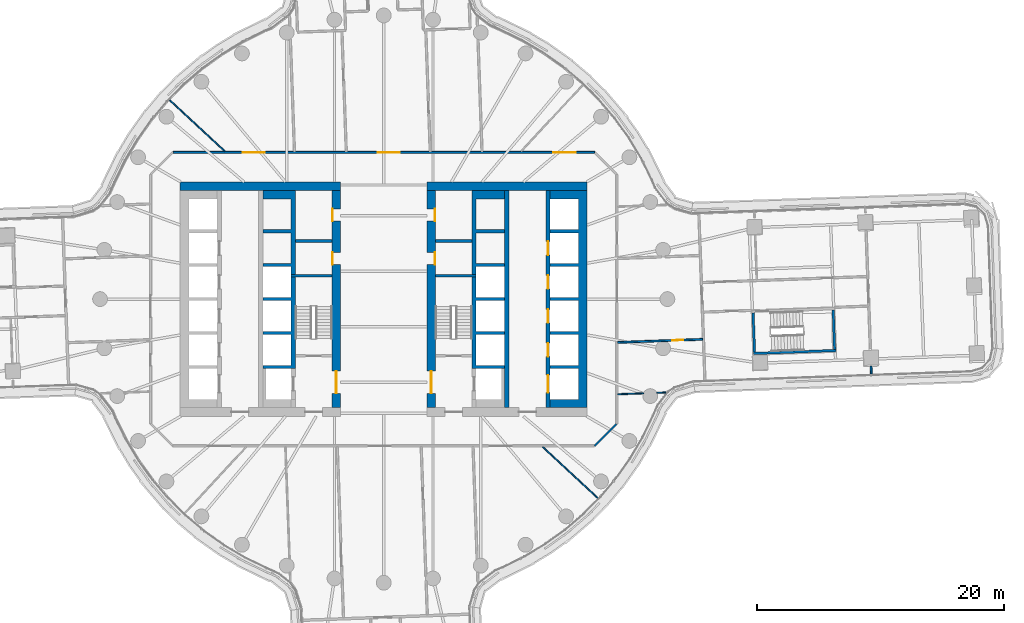
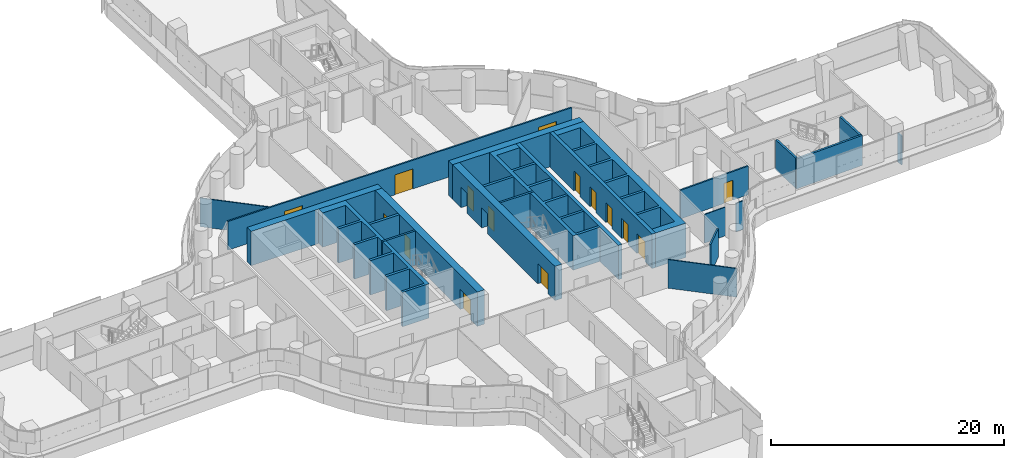
# One storey, part 21 of 31: 24 walls, 15 doors, 15 openings.
"""IFC4 building model written with IfcOpenShell, lengths in metres."""

from ifc_helpers import new_model, si_unit, direction, frame, frame_2d, origin, place, context, subcontext, project, spatial, polyline, rectangle, outline, extrude, material, layer, layer_set, type_object, element, fill, save


model = new_model("IFC4")

# Units and contexts
model_context = context("Model", 3, precision=1e-05, world=origin(), true_north=direction((0.0, 1.0)))
body_context = subcontext(model_context, "Body", "Model", "MODEL_VIEW")
ifc_project = project(units=[si_unit("LENGTHUNIT", "METRE"), si_unit("AREAUNIT", "SQUARE_METRE"), si_unit("VOLUMEUNIT", "CUBIC_METRE"), si_unit("PLANEANGLEUNIT", "RADIAN"), si_unit("MASSUNIT", "GRAM", prefix="KILO")], contexts=[model_context])

# Site, building, storey
site_placement = place(None, origin())
site = spatial("IfcSite", under=ifc_project, at=site_placement, CompositionType="ELEMENT")
building_placement = place(site_placement, origin())
building = spatial("IfcBuilding", under=site, at=building_placement, Name="Tamarind Cross Interchange Tower", CompositionType="ELEMENT")
storey_placement = place(building_placement, frame((0.0, 0.0, 41.5)))
storey = spatial("IfcBuildingStorey", under=building, at=storey_placement, Name="L08", CompositionType="ELEMENT", Elevation=41.5)

# Wall
ifc_material_1 = material(Name="Concrete C80", Category="concrete")
ifc_layer_1 = layer(ifc_material_1, 0.699951171875)
ifc_layer_set_1 = layer_set([ifc_layer_1], Name="Concrete C80")
wall_type_1 = type_object("IfcWallType", Name="Core wall 700 mm Concrete C80", PredefinedType="SHEAR", material=ifc_layer_set_1)
wall_1_placement = place(storey_placement, frame((-16.5, 9.14990234375, 0.0), z_axis=(0.0, 0.0, 1.0), x_axis=(1.0, 0.0, 0.0)))
element("IfcWall", 1, at=wall_1_placement, inside=storey, type_object=wall_type_1, Name="Core wall CWL-L08-W-NE", PredefinedType="SHEAR", context=body_context, shape_type="SweptSolid", body=[
    extrude(rectangle(XDim=13.0, YDim=0.699951171875, at=frame_2d((6.5, 0.0))), origin(), (0.0, 0.0, 1.0), 3.610107421875),
])

# Wall, openings, doors
wall_2_placement = place(storey_placement, frame((-3.85009765625, -8.800048828125, 0.0), z_axis=(0.0, 0.0, 1.0), x_axis=(0.0, 1.0, 0.0)))
wall_2 = element("IfcWall", 2, at=wall_2_placement, inside=storey, type_object=wall_type_1, Name="Core wall CWL-L08-W-IN", PredefinedType="SHEAR", context=body_context, shape_type="SweptSolid", body=[
    extrude(rectangle(XDim=17.60009765625, YDim=0.699951171875, at=frame_2d((8.800048828125, 0.0))), origin(), (0.0, 0.0, 1.0), 3.610107421875),
])
opening_1_placement = place(wall_2_placement, frame((1.14990234375, 0.0, 0.0)))
opening_1 = element("IfcOpeningElement", 3, at=opening_1_placement, cuts=wall_2, Name="Opening DCW4", PredefinedType="OPENING", context=body_context, shape_type="SweptSolid", body=[
    extrude(rectangle(XDim=1.800048828125, YDim=2.10009765625, at=frame_2d((0.89990234375, 1.050048828125))), frame((0.0, 0.35986328125, 0.0), z_axis=(0.0, -1.0, 0.0), x_axis=(1.0, 0.0, 0.0)), (0.0, 0.0, 1.0), 0.719970703125),
])
opening_2_placement = place(wall_2_placement, frame((11.597412109375, 0.0, 0.0)))
opening_2 = element("IfcOpeningElement", 4, at=opening_2_placement, cuts=wall_2, Name="Opening DCW5", PredefinedType="OPENING", context=body_context, shape_type="SweptSolid", body=[
    extrude(rectangle(XDim=1.0, YDim=2.10009765625, at=frame_2d((0.5, 1.050048828125))), frame((0.0, 0.35986328125, 0.0), z_axis=(0.0, -1.0, 0.0), x_axis=(1.0, 0.0, 0.0)), (0.0, 0.0, 1.0), 0.719970703125),
])
opening_3_placement = place(wall_2_placement, frame((15.12255859375, 0.0, 0.0)))
opening_3 = element("IfcOpeningElement", 5, at=opening_3_placement, cuts=wall_2, Name="Opening DCW5", PredefinedType="OPENING", context=body_context, shape_type="SweptSolid", body=[
    extrude(rectangle(XDim=1.0, YDim=2.10009765625, at=frame_2d((0.5, 1.050048828125))), frame((0.0, 0.35986328125, 0.0), z_axis=(0.0, -1.0, 0.0), x_axis=(1.0, 0.0, 0.0)), (0.0, 0.0, 1.0), 0.719970703125),
])
ifc_material_2 = material(Name="Steel, fire-resisting", Category="steel")
door_type_1 = type_object("IfcDoorType", Name="Core fire door 1000 x 2100 FD90", OperationType="SINGLE_SWING_LEFT", PredefinedType="DOOR", material=ifc_material_2)
door_1_placement = place(opening_2_placement, origin())
door_1 = element("IfcDoor", 6, at=door_1_placement, inside=storey, type_object=door_type_1, Name="L08 comms room door", OperationType="SINGLE_SWING_LEFT", OverallHeight=2.10009765625, OverallWidth=1.0, PredefinedType="DOOR", context=body_context, shape_type="SweptSolid", body=[
    extrude(rectangle(XDim=1.0, YDim=2.10009765625, at=frame_2d((0.5, 1.050048828125))), frame((0.0, 0.3251953125, 0.0), z_axis=(0.0, -1.0, 0.0), x_axis=(1.0, 0.0, 0.0)), (0.0, 0.0, 1.0), 0.050048828125),
])
fill(opening_2, door_1)
door_2_placement = place(opening_3_placement, origin())
door_2 = element("IfcDoor", 7, at=door_2_placement, inside=storey, type_object=door_type_1, Name="L08 cleaner's store door", OperationType="SINGLE_SWING_LEFT", OverallHeight=2.10009765625, OverallWidth=1.0, PredefinedType="DOOR", context=body_context, shape_type="SweptSolid", body=[
    extrude(rectangle(XDim=1.0, YDim=2.10009765625, at=frame_2d((0.5, 1.050048828125))), frame((0.0, 0.3251953125, 0.0), z_axis=(0.0, -1.0, 0.0), x_axis=(1.0, 0.0, 0.0)), (0.0, 0.0, 1.0), 0.050048828125),
])
fill(opening_3, door_2)
door_type_2 = type_object("IfcDoorType", Name="Core fire door 1800 x 2100 FD90", OperationType="SINGLE_SWING_LEFT", PredefinedType="DOOR", material=ifc_material_2)
door_3_placement = place(opening_1_placement, origin())
door_3 = element("IfcDoor", 8, at=door_3_placement, inside=storey, type_object=door_type_2, Name="L08 firefighting lobby door", OperationType="SINGLE_SWING_LEFT", OverallHeight=2.10009765625, OverallWidth=1.800048828125, PredefinedType="DOOR", context=body_context, shape_type="SweptSolid", body=[
    extrude(rectangle(XDim=1.800048828125, YDim=2.10009765625, at=frame_2d((0.89990234375, 1.050048828125))), frame((0.0, 0.02490234375, 0.0), z_axis=(0.0, -1.0, 0.0), x_axis=(1.0, 0.0, 0.0)), (0.0, 0.0, 1.0), 0.050048828125),
])
fill(opening_1, door_3)

# Walls
wall_3_placement = place(storey_placement, origin())
element("IfcWall", 9, at=wall_3_placement, inside=storey, type_object=wall_type_1, Name="Core wall CWL-L08-E-A", PredefinedType="SHEAR", context=body_context, shape_type="SweptSolid", body=[
    extrude(outline(polyline([(13.5, -8.800048828125), (15.800048828125, -8.800048828125), (16.5, -8.800048828125), (16.5, 8.800048828125), (15.800048828125, 8.800048828125), (13.5, 8.800048828125), (13.5, 8.125), (15.800048828125, 8.125), (15.800048828125, 5.625), (13.5, 5.625), (13.5, 5.375), (15.800048828125, 5.375), (15.800048828125, 2.875), (13.5, 2.875), (13.5, 2.625), (15.800048828125, 2.625), (15.800048828125, 0.125), (13.5, 0.125), (13.5, -0.125), (15.800048828125, -0.125), (15.800048828125, -2.625), (13.5, -2.625), (13.5, -2.875), (15.800048828125, -2.875), (15.800048828125, -5.375), (13.5, -5.375), (13.5, -5.625), (15.800048828125, -5.625), (15.800048828125, -8.125), (13.5, -8.125), (13.5, -8.800048828125)])), origin(), (0.0, 0.0, 1.0), 3.610107421875),
])
wall_4_placement = place(storey_placement, frame((16.5, 9.14990234375, 0.0), z_axis=(0.0, 0.0, 1.0), x_axis=(-1.0, 0.0, 0.0)))
element("IfcWall", 10, at=wall_4_placement, inside=storey, type_object=wall_type_1, Name="Core wall CWL-L08-E-NE", PredefinedType="SHEAR", context=body_context, shape_type="SweptSolid", body=[
    extrude(rectangle(XDim=13.0, YDim=0.699951171875, at=frame_2d((6.5, 0.0))), origin(), (0.0, 0.0, 1.0), 3.610107421875),
])

# Wall, openings, doors
wall_5_placement = place(storey_placement, frame((3.85009765625, -8.800048828125, 0.0), z_axis=(0.0, 0.0, 1.0), x_axis=(0.0, 1.0, 0.0)))
wall_5 = element("IfcWall", 11, at=wall_5_placement, inside=storey, type_object=wall_type_1, Name="Core wall CWL-L08-E-IN", PredefinedType="SHEAR", context=body_context, shape_type="SweptSolid", body=[
    extrude(rectangle(XDim=17.60009765625, YDim=0.699951171875, at=frame_2d((8.800048828125, 0.0))), origin(), (0.0, 0.0, 1.0), 3.610107421875),
])
opening_4_placement = place(wall_5_placement, frame((1.14990234375, 0.0, 0.0)))
opening_4 = element("IfcOpeningElement", 12, at=opening_4_placement, cuts=wall_5, Name="Opening DCE4", PredefinedType="OPENING", context=body_context, shape_type="SweptSolid", body=[
    extrude(rectangle(XDim=1.800048828125, YDim=2.10009765625, at=frame_2d((0.89990234375, 1.050048828125))), frame((0.0, 0.35986328125, 0.0), z_axis=(0.0, -1.0, 0.0), x_axis=(1.0, 0.0, 0.0)), (0.0, 0.0, 1.0), 0.719970703125),
])
opening_5_placement = place(wall_5_placement, frame((11.597412109375, 0.0, 0.0)))
opening_5 = element("IfcOpeningElement", 13, at=opening_5_placement, cuts=wall_5, Name="Opening DCE5", PredefinedType="OPENING", context=body_context, shape_type="SweptSolid", body=[
    extrude(rectangle(XDim=1.0, YDim=2.10009765625, at=frame_2d((0.5, 1.050048828125))), frame((0.0, 0.35986328125, 0.0), z_axis=(0.0, -1.0, 0.0), x_axis=(1.0, 0.0, 0.0)), (0.0, 0.0, 1.0), 0.719970703125),
])
opening_6_placement = place(wall_5_placement, frame((15.12255859375, 0.0, 0.0)))
opening_6 = element("IfcOpeningElement", 14, at=opening_6_placement, cuts=wall_5, Name="Opening DCE5", PredefinedType="OPENING", context=body_context, shape_type="SweptSolid", body=[
    extrude(rectangle(XDim=1.0, YDim=2.10009765625, at=frame_2d((0.5, 1.050048828125))), frame((0.0, 0.35986328125, 0.0), z_axis=(0.0, -1.0, 0.0), x_axis=(1.0, 0.0, 0.0)), (0.0, 0.0, 1.0), 0.719970703125),
])
door_4_placement = place(opening_5_placement, origin())
door_4 = element("IfcDoor", 15, at=door_4_placement, inside=storey, type_object=door_type_1, Name="L08 comms room door", OperationType="SINGLE_SWING_LEFT", OverallHeight=2.10009765625, OverallWidth=1.0, PredefinedType="DOOR", context=body_context, shape_type="SweptSolid", body=[
    extrude(rectangle(XDim=1.0, YDim=2.10009765625, at=frame_2d((0.5, 1.050048828125))), frame((0.0, -0.27490234375, 0.0), z_axis=(0.0, -1.0, 0.0), x_axis=(1.0, 0.0, 0.0)), (0.0, 0.0, 1.0), 0.050048828125),
])
fill(opening_5, door_4)
door_5_placement = place(opening_6_placement, origin())
door_5 = element("IfcDoor", 16, at=door_5_placement, inside=storey, type_object=door_type_1, Name="L08 cleaner's store door", OperationType="SINGLE_SWING_LEFT", OverallHeight=2.10009765625, OverallWidth=1.0, PredefinedType="DOOR", context=body_context, shape_type="SweptSolid", body=[
    extrude(rectangle(XDim=1.0, YDim=2.10009765625, at=frame_2d((0.5, 1.050048828125))), frame((0.0, -0.27490234375, 0.0), z_axis=(0.0, -1.0, 0.0), x_axis=(1.0, 0.0, 0.0)), (0.0, 0.0, 1.0), 0.050048828125),
])
fill(opening_6, door_5)
door_6_placement = place(opening_4_placement, origin())
door_6 = element("IfcDoor", 17, at=door_6_placement, inside=storey, type_object=door_type_2, Name="L08 firefighting lobby door", OperationType="SINGLE_SWING_LEFT", OverallHeight=2.10009765625, OverallWidth=1.800048828125, PredefinedType="DOOR", context=body_context, shape_type="SweptSolid", body=[
    extrude(rectangle(XDim=1.800048828125, YDim=2.10009765625, at=frame_2d((0.89990234375, 1.050048828125))), frame((0.0, 0.02490234375, 0.0), z_axis=(0.0, -1.0, 0.0), x_axis=(1.0, 0.0, 0.0)), (0.0, 0.0, 1.0), 0.050048828125),
])
fill(opening_4, door_6)

# Walls
ifc_layer_2 = layer(ifc_material_1, 0.199951171875)
ifc_layer_set_2 = layer_set([ifc_layer_2], Name="Concrete C80")
wall_type_2 = type_object("IfcWallType", Name="Core web wall 200 mm Concrete C80", PredefinedType="SHEAR", material=ifc_layer_set_2)
for number, where, z_axis, x_axis, name in (
    (18, (-7.5, 1.89990234375, 0.0), (0.0, 0.0, 1.0), (1.0, 0.0, 0.0), "Core wall CWL-L08-W-BD"),
    (19, (7.5, 1.89990234375, 0.0), (0.0, 0.0, 1.0), (-1.0, 0.0, 0.0), "Core wall CWL-L08-E-BD"),
):
    element("IfcWall", number, at=place(storey_placement, frame(where, z_axis=z_axis, x_axis=x_axis)), inside=storey, type_object=wall_type_2, Name=name, PredefinedType="SHEAR", context=body_context, shape_type="SweptSolid", body=[
        extrude(rectangle(XDim=3.300048828125, YDim=0.199951171875, at=frame_2d((1.64990234375, 0.0))), origin(), (0.0, 0.0, 1.0), 3.610107421875),
    ])
ifc_layer_3 = layer(ifc_material_1, 0.35009765625)
ifc_layer_set_3 = layer_set([ifc_layer_3], Name="Concrete C80")
wall_type_3 = type_object("IfcWallType", Name="Core web wall 350 mm Concrete C80", PredefinedType="SHEAR", material=ifc_layer_set_3)
wall_6_placement = place(storey_placement, origin())
element("IfcWall", 20, at=wall_6_placement, inside=storey, type_object=wall_type_3, Name="Core wall CWL-L08-W-BN", PredefinedType="SHEAR", context=body_context, shape_type="SweptSolid", body=[
    extrude(outline(polyline([(-9.800048828125, -5.375), (-9.800048828125, -5.625), (-7.5, -5.625), (-7.14990234375, -5.625), (-7.14990234375, 8.800048828125), (-7.5, 8.800048828125), (-9.800048828125, 8.800048828125), (-9.800048828125, 8.125), (-7.5, 8.125), (-7.5, 5.625), (-9.800048828125, 5.625), (-9.800048828125, 5.375), (-7.5, 5.375), (-7.5, 2.875), (-9.800048828125, 2.875), (-9.800048828125, 2.625), (-7.5, 2.625), (-7.5, 0.125), (-9.800048828125, 0.125), (-9.800048828125, -0.125), (-7.5, -0.125), (-7.5, -2.625), (-9.800048828125, -2.625), (-9.800048828125, -2.875), (-7.5, -2.875), (-7.5, -5.375), (-9.800048828125, -5.375)])), origin(), (0.0, 0.0, 1.0), 3.610107421875),
])
wall_7_placement = place(storey_placement, origin())
element("IfcWall", 21, at=wall_7_placement, inside=storey, type_object=wall_type_3, Name="Core wall CWL-L08-E-BN", PredefinedType="SHEAR", context=body_context, shape_type="SweptSolid", body=[
    extrude(outline(polyline([(9.800048828125, -5.375), (7.5, -5.375), (7.5, -2.875), (9.800048828125, -2.875), (9.800048828125, -2.625), (7.5, -2.625), (7.5, -0.125), (9.800048828125, -0.125), (9.800048828125, 0.125), (7.5, 0.125), (7.5, 2.625), (9.800048828125, 2.625), (9.800048828125, 2.875), (7.5, 2.875), (7.5, 5.375), (9.800048828125, 5.375), (9.800048828125, 5.625), (7.5, 5.625), (7.5, 8.125), (9.800048828125, 8.125), (9.800048828125, 8.800048828125), (7.5, 8.800048828125), (7.14990234375, 8.800048828125), (7.14990234375, -5.625), (7.5, -5.625), (9.800048828125, -5.625), (9.800048828125, -5.375)])), origin(), (0.0, 0.0, 1.0), 3.610107421875),
])

# Wall, openings, doors
wall_8_placement = place(storey_placement, frame((13.324951171875, -8.800048828125, 0.0), z_axis=(0.0, 0.0, 1.0), x_axis=(0.0, 1.0, 0.0)))
wall_8 = element("IfcWall", 22, at=wall_8_placement, inside=storey, type_object=wall_type_3, Name="Core wall CWL-L08-E-LA", PredefinedType="SHEAR", context=body_context, shape_type="SweptSolid", body=[
    extrude(rectangle(XDim=17.60009765625, YDim=0.35009765625, at=frame_2d((8.800048828125, 0.0))), origin(), (0.0, 0.0, 1.0), 3.610107421875),
])
opening_7_placement = place(wall_8_placement, frame((1.22509765625, 0.0, 0.0)))
opening_7 = element("IfcOpeningElement", 23, at=opening_7_placement, cuts=wall_8, Name="Opening LD13L08", PredefinedType="OPENING", context=body_context, shape_type="SweptSolid", body=[
    extrude(rectangle(XDim=1.39990234375, YDim=2.10009765625, at=frame_2d((0.699951171875, 1.050048828125))), frame((0.0, 0.18505859375, 0.0), z_axis=(0.0, -1.0, 0.0), x_axis=(1.0, 0.0, 0.0)), (0.0, 0.0, 1.0), 0.3701171875),
])
opening_8_placement = place(wall_8_placement, frame((4.125, 0.0, 0.0)))
opening_8 = element("IfcOpeningElement", 24, at=opening_8_placement, cuts=wall_8, Name="Opening LD14L08", PredefinedType="OPENING", context=body_context, shape_type="SweptSolid", body=[
    extrude(rectangle(XDim=1.10009765625, YDim=2.10009765625, at=frame_2d((0.550048828125, 1.050048828125))), frame((0.0, 0.18505859375, 0.0), z_axis=(0.0, -1.0, 0.0), x_axis=(1.0, 0.0, 0.0)), (0.0, 0.0, 1.0), 0.3701171875),
])
opening_9_placement = place(wall_8_placement, frame((6.875, 0.0, 0.0)))
opening_9 = element("IfcOpeningElement", 25, at=opening_9_placement, cuts=wall_8, Name="Opening LD15L08", PredefinedType="OPENING", context=body_context, shape_type="SweptSolid", body=[
    extrude(rectangle(XDim=1.10009765625, YDim=2.10009765625, at=frame_2d((0.550048828125, 1.050048828125))), frame((0.0, 0.18505859375, 0.0), z_axis=(0.0, -1.0, 0.0), x_axis=(1.0, 0.0, 0.0)), (0.0, 0.0, 1.0), 0.3701171875),
])
opening_10_placement = place(wall_8_placement, frame((9.625, 0.0, 0.0)))
opening_10 = element("IfcOpeningElement", 26, at=opening_10_placement, cuts=wall_8, Name="Opening LD16L08", PredefinedType="OPENING", context=body_context, shape_type="SweptSolid", body=[
    extrude(rectangle(XDim=1.10009765625, YDim=2.10009765625, at=frame_2d((0.550048828125, 1.050048828125))), frame((0.0, 0.18505859375, 0.0), z_axis=(0.0, -1.0, 0.0), x_axis=(1.0, 0.0, 0.0)), (0.0, 0.0, 1.0), 0.3701171875),
])
opening_11_placement = place(wall_8_placement, frame((12.375, 0.0, 0.0)))
opening_11 = element("IfcOpeningElement", 27, at=opening_11_placement, cuts=wall_8, Name="Opening LD17L08", PredefinedType="OPENING", context=body_context, shape_type="SweptSolid", body=[
    extrude(rectangle(XDim=1.10009765625, YDim=2.10009765625, at=frame_2d((0.550048828125, 1.050048828125))), frame((0.0, 0.18505859375, 0.0), z_axis=(0.0, -1.0, 0.0), x_axis=(1.0, 0.0, 0.0)), (0.0, 0.0, 1.0), 0.3701171875),
])
ifc_material_3 = material(Name="Stainless steel panel", Category="steel")
door_type_3 = type_object("IfcDoorType", Name="Lift landing door 1100 x 2100 E 120", OperationType="SLIDING_TO_LEFT", PredefinedType="DOOR", material=ifc_material_3)
door_7_placement = place(opening_8_placement, origin())
door_7 = element("IfcDoor", 28, at=door_7_placement, inside=storey, type_object=door_type_3, Name="L08 landing door LF14", OperationType="SLIDING_TO_LEFT", OverallHeight=2.10009765625, OverallWidth=1.10009765625, PredefinedType="DOOR", context=body_context, shape_type="SweptSolid", body=[
    extrude(rectangle(XDim=1.10009765625, YDim=2.10009765625, at=frame_2d((0.550048828125, 1.050048828125))), frame((0.0, 0.02490234375, 0.0), z_axis=(0.0, -1.0, 0.0), x_axis=(1.0, 0.0, 0.0)), (0.0, 0.0, 1.0), 0.050048828125),
])
fill(opening_8, door_7)
door_8_placement = place(opening_9_placement, origin())
door_8 = element("IfcDoor", 29, at=door_8_placement, inside=storey, type_object=door_type_3, Name="L08 landing door LF15", OperationType="SLIDING_TO_LEFT", OverallHeight=2.10009765625, OverallWidth=1.10009765625, PredefinedType="DOOR", context=body_context, shape_type="SweptSolid", body=[
    extrude(rectangle(XDim=1.10009765625, YDim=2.10009765625, at=frame_2d((0.550048828125, 1.050048828125))), frame((0.0, 0.02490234375, 0.0), z_axis=(0.0, -1.0, 0.0), x_axis=(1.0, 0.0, 0.0)), (0.0, 0.0, 1.0), 0.050048828125),
])
fill(opening_9, door_8)
door_9_placement = place(opening_10_placement, origin())
door_9 = element("IfcDoor", 30, at=door_9_placement, inside=storey, type_object=door_type_3, Name="L08 landing door LF16", OperationType="SLIDING_TO_LEFT", OverallHeight=2.10009765625, OverallWidth=1.10009765625, PredefinedType="DOOR", context=body_context, shape_type="SweptSolid", body=[
    extrude(rectangle(XDim=1.10009765625, YDim=2.10009765625, at=frame_2d((0.550048828125, 1.050048828125))), frame((0.0, 0.02490234375, 0.0), z_axis=(0.0, -1.0, 0.0), x_axis=(1.0, 0.0, 0.0)), (0.0, 0.0, 1.0), 0.050048828125),
])
fill(opening_10, door_9)
door_10_placement = place(opening_11_placement, origin())
door_10 = element("IfcDoor", 31, at=door_10_placement, inside=storey, type_object=door_type_3, Name="L08 landing door LF17", OperationType="SLIDING_TO_LEFT", OverallHeight=2.10009765625, OverallWidth=1.10009765625, PredefinedType="DOOR", context=body_context, shape_type="SweptSolid", body=[
    extrude(rectangle(XDim=1.10009765625, YDim=2.10009765625, at=frame_2d((0.550048828125, 1.050048828125))), frame((0.0, 0.02490234375, 0.0), z_axis=(0.0, -1.0, 0.0), x_axis=(1.0, 0.0, 0.0)), (0.0, 0.0, 1.0), 0.050048828125),
])
fill(opening_11, door_10)
door_type_4 = type_object("IfcDoorType", Name="Lift landing door 1400 x 2100 E 120", OperationType="SLIDING_TO_LEFT", PredefinedType="DOOR", material=ifc_material_3)
door_11_placement = place(opening_7_placement, origin())
door_11 = element("IfcDoor", 32, at=door_11_placement, inside=storey, type_object=door_type_4, Name="L08 landing door LF13", OperationType="SLIDING_TO_LEFT", OverallHeight=2.10009765625, OverallWidth=1.39990234375, PredefinedType="DOOR", context=body_context, shape_type="SweptSolid", body=[
    extrude(rectangle(XDim=1.39990234375, YDim=2.10009765625, at=frame_2d((0.699951171875, 1.050048828125))), frame((0.0, 0.02490234375, 0.0), z_axis=(0.0, -1.0, 0.0), x_axis=(1.0, 0.0, 0.0)), (0.0, 0.0, 1.0), 0.050048828125),
])
fill(opening_7, door_11)

# Walls
wall_9_placement = place(storey_placement, frame((9.97509765625, -8.800048828125, 0.0), z_axis=(0.0, 0.0, 1.0), x_axis=(0.0, 1.0, 0.0)))
element("IfcWall", 33, at=wall_9_placement, inside=storey, type_object=wall_type_3, Name="Core wall CWL-L08-E-LB", PredefinedType="SHEAR", context=body_context, shape_type="SweptSolid", body=[
    extrude(rectangle(XDim=17.60009765625, YDim=0.35009765625, at=frame_2d((8.800048828125, 0.0))), origin(), (0.0, 0.0, 1.0), 3.610107421875),
])
ifc_material_4 = material(Name="Gypsum board partition on steel studs", Category="steel")
ifc_layer_4 = layer(ifc_material_4, 0.10009765625)
ifc_layer_set_4 = layer_set([ifc_layer_4], Name="Gypsum board partition on steel studs")
wall_type_4 = type_object("IfcWallType", Name="Partition 100 mm EI 120", PredefinedType="PARTITIONING", material=ifc_layer_set_4)
for number, where, z_axis, x_axis, name in (
    (34, (-17.348388671875, 16.12744140625, 0.0), (0.0, 0.0, 1.0), (0.732402538163, -0.680871883758, 0.0), "Partition L08-038"),
    (35, (12.899658203125, -11.9921875, 0.0), (0.0, 0.0, 1.0), (0.73238390324, -0.680891928484, 0.0), "Partition L08-039"),
):
    element("IfcWall", number, at=place(storey_placement, frame(where, z_axis=z_axis, x_axis=x_axis)), inside=storey, type_object=wall_type_4, Name=name, PredefinedType="PARTITIONING", context=body_context, shape_type="SweptSolid", body=[
        extrude(rectangle(XDim=6.07373046875, YDim=0.10009765625, at=frame_2d((3.036865234375, 0.0))), origin(), (0.0, 0.0, 1.0), 3.010009765625),
    ])
ifc_layer_5 = layer(ifc_material_4, 0.10009765625)
ifc_layer_set_5 = layer_set([ifc_layer_5], Name="Gypsum board partition on steel studs")
wall_type_5 = type_object("IfcWallType", Name="Partition 100 mm EI 90", PredefinedType="PARTITIONING", material=ifc_layer_set_5)
wall_10_placement = place(storey_placement, frame((18.9599609375, -7.7158203125, 0.0), z_axis=(0.0, 0.0, 1.0), x_axis=(0.999340952075, 0.03629960752, 0.0)))
element("IfcWall", 36, at=wall_10_placement, inside=storey, type_object=wall_type_5, Name="Partition L08-068", PredefinedType="PARTITIONING", context=body_context, shape_type="SweptSolid", body=[
    extrude(rectangle(XDim=2.105224609375, YDim=0.10009765625, at=frame_2d((1.052734375, 0.0))), origin(), (0.0, 0.0, 1.0), 3.010009765625),
])
wall_11_placement = place(storey_placement, frame((22.1513671875, -7.599609375, 0.0), z_axis=(0.0, 0.0, 1.0), x_axis=(0.999340597236, 0.036309375033, 0.0)))
element("IfcWall", 37, at=wall_11_placement, inside=storey, type_object=wall_type_5, Name="Partition L08-069", PredefinedType="PARTITIONING", context=body_context, shape_type="SweptSolid", body=[
    extrude(rectangle(XDim=0.73291015625, YDim=0.10009765625, at=frame_2d((0.366455078125, 0.0))), origin(), (0.0, 0.0, 1.0), 3.010009765625),
])
ifc_layer_6 = layer(ifc_material_4, 0.14990234375)
ifc_layer_set_6 = layer_set([ifc_layer_6], Name="Gypsum board partition on steel studs")
wall_type_6 = type_object("IfcWallType", Name="Partition 150 mm EI 120", PredefinedType="PARTITIONING", material=ifc_layer_set_6)
wall_12_placement = place(storey_placement, frame((39.509521484375, -5.4296875, 0.0), z_axis=(0.0, 0.0, 1.0), x_axis=(0.036556219412, -0.999331598031, 0.0)))
element("IfcWall", 38, at=wall_12_placement, inside=storey, type_object=wall_type_6, Name="Partition L08-035", PredefinedType="PARTITIONING", context=body_context, shape_type="SweptSolid", body=[
    extrude(rectangle(XDim=0.634521484375, YDim=0.14990234375, at=frame_2d((0.3173828125, 0.0))), origin(), (0.0, 0.0, 1.0), 3.010009765625),
])

# Wall, openings, doors
wall_13_placement = place(storey_placement, frame((-17.06494140625, 11.89990234375, 0.0), z_axis=(0.0, 0.0, 1.0), x_axis=(1.0, 0.0, 0.0)))
wall_13 = element("IfcWall", 39, at=wall_13_placement, inside=storey, type_object=wall_type_6, Name="Partition L08-041", PredefinedType="PARTITIONING", context=body_context, shape_type="SweptSolid", body=[
    extrude(rectangle(XDim=34.1650390625, YDim=0.14990234375, at=frame_2d((17.08251953125, 0.0))), origin(), (0.0, 0.0, 1.0), 3.010009765625),
])
opening_12_placement = place(wall_13_placement, frame((16.5810546875, 0.0, 0.0)))
opening_12 = element("IfcOpeningElement", 40, at=opening_12_placement, cuts=wall_13, Name="Opening D19", PredefinedType="OPENING", context=body_context, shape_type="SweptSolid", body=[
    extrude(rectangle(XDim=1.800048828125, YDim=2.10009765625, at=frame_2d((0.89990234375, 1.050048828125))), frame((0.0, 0.0849609375, 0.0), z_axis=(0.0, -1.0, 0.0), x_axis=(1.0, 0.0, 0.0)), (0.0, 0.0, 1.0), 0.169921875),
])
opening_13_placement = place(wall_13_placement, frame((30.826904296875, 0.0, 0.0)))
opening_13 = element("IfcOpeningElement", 41, at=opening_13_placement, cuts=wall_13, Name="Opening D20", PredefinedType="OPENING", context=body_context, shape_type="SweptSolid", body=[
    extrude(rectangle(XDim=1.800048828125, YDim=2.10009765625, at=frame_2d((0.89990234375, 1.050048828125))), frame((0.0, 0.0849609375, 0.0), z_axis=(0.0, -1.0, 0.0), x_axis=(1.0, 0.0, 0.0)), (0.0, 0.0, 1.0), 0.169921875),
])
opening_14_placement = place(wall_13_placement, frame((5.614013671875, 0.0, 0.0)))
opening_14 = element("IfcOpeningElement", 42, at=opening_14_placement, cuts=wall_13, Name="Opening D21", PredefinedType="OPENING", context=body_context, shape_type="SweptSolid", body=[
    extrude(rectangle(XDim=1.800048828125, YDim=2.10009765625, at=frame_2d((0.89990234375, 1.050048828125))), frame((0.0, 0.0849609375, 0.0), z_axis=(0.0, -1.0, 0.0), x_axis=(1.0, 0.0, 0.0)), (0.0, 0.0, 1.0), 0.169921875),
])
ifc_material_5 = material(Name="Fire-resisting door set")
door_type_5 = type_object("IfcDoorType", Name="Interior door 1800 x 2100 FD60S", OperationType="DOUBLE_DOOR_SINGLE_SWING", PredefinedType="DOOR", material=ifc_material_5)
door_12_placement = place(opening_12_placement, frame((1.800048828125, 0.0, 0.0), z_axis=(0.0, 0.0, 1.0), x_axis=(-1.0, 0.0, 0.0)))
door_12 = element("IfcDoor", 43, at=door_12_placement, inside=storey, type_object=door_type_5, Name="Door D19", OperationType="DOUBLE_DOOR_SINGLE_SWING", OverallHeight=2.10009765625, OverallWidth=1.800048828125, PredefinedType="DOOR", context=body_context, shape_type="SweptSolid", body=[
    extrude(rectangle(XDim=1.800048828125, YDim=2.10009765625, at=frame_2d((0.89990234375, 1.050048828125))), frame((0.0, 0.02490234375, 0.0), z_axis=(0.0, -1.0, 0.0), x_axis=(1.0, 0.0, 0.0)), (0.0, 0.0, 1.0), 0.050048828125),
])
fill(opening_12, door_12)
door_13_placement = place(opening_13_placement, origin())
door_13 = element("IfcDoor", 44, at=door_13_placement, inside=storey, type_object=door_type_5, Name="Door D20", OperationType="DOUBLE_DOOR_SINGLE_SWING", OverallHeight=2.10009765625, OverallWidth=1.800048828125, PredefinedType="DOOR", context=body_context, shape_type="SweptSolid", body=[
    extrude(rectangle(XDim=1.800048828125, YDim=2.10009765625, at=frame_2d((0.89990234375, 1.050048828125))), frame((0.0, 0.02490234375, 0.0), z_axis=(0.0, -1.0, 0.0), x_axis=(1.0, 0.0, 0.0)), (0.0, 0.0, 1.0), 0.050048828125),
])
fill(opening_13, door_13)
door_14_placement = place(opening_14_placement, origin())
door_14 = element("IfcDoor", 45, at=door_14_placement, inside=storey, type_object=door_type_5, Name="Door D21", OperationType="DOUBLE_DOOR_SINGLE_SWING", OverallHeight=2.10009765625, OverallWidth=1.800048828125, PredefinedType="DOOR", context=body_context, shape_type="SweptSolid", body=[
    extrude(rectangle(XDim=1.800048828125, YDim=2.10009765625, at=frame_2d((0.89990234375, 1.050048828125))), frame((0.0, 0.02490234375, 0.0), z_axis=(0.0, -1.0, 0.0), x_axis=(1.0, 0.0, 0.0)), (0.0, 0.0, 1.0), 0.050048828125),
])
fill(opening_14, door_14)

# Wall, opening, door
wall_14_placement = place(storey_placement, frame((18.9599609375, -3.5126953125, 0.0), z_axis=(0.0, 0.0, 1.0), x_axis=(0.999336787345, 0.036414083241, 0.0)))
wall_14 = element("IfcWall", 46, at=wall_14_placement, inside=storey, type_object=wall_type_6, Name="Partition L08-063", PredefinedType="PARTITIONING", context=body_context, shape_type="SweptSolid", body=[
    extrude(rectangle(XDim=6.90576171875, YDim=0.14990234375, at=frame_2d((3.452880859375, 0.0))), origin(), (0.0, 0.0, 1.0), 3.010009765625),
])
opening_15_placement = place(wall_14_placement, frame((4.43994140625, 0.0, 0.0)))
opening_15 = element("IfcOpeningElement", 47, at=opening_15_placement, cuts=wall_14, Name="Opening D33", PredefinedType="OPENING", context=body_context, shape_type="SweptSolid", body=[
    extrude(rectangle(XDim=0.89990234375, YDim=2.10009765625, at=frame_2d((0.449951171875, 1.050048828125))), frame((0.0, 0.0849609375, 0.0), z_axis=(0.0, -1.0, 0.0), x_axis=(1.0, 0.0, 0.0)), (0.0, 0.0, 1.0), 0.169921875),
])
door_type_6 = type_object("IfcDoorType", Name="Interior door 900 x 2100 FD60S", OperationType="SINGLE_SWING_LEFT", PredefinedType="DOOR", material=ifc_material_5)
door_15_placement = place(opening_15_placement, frame((0.89990234375, 0.0, 0.0), z_axis=(0.0, 0.0, 1.0), x_axis=(-1.0, 0.0, 0.0)))
door_15 = element("IfcDoor", 48, at=door_15_placement, inside=storey, type_object=door_type_6, Name="Door D33", OperationType="SINGLE_SWING_RIGHT", OverallHeight=2.10009765625, OverallWidth=0.89990234375, PredefinedType="DOOR", context=body_context, shape_type="SweptSolid", body=[
    extrude(rectangle(XDim=0.89990234375, YDim=2.10009765625, at=frame_2d((0.449951171875, 1.050048828125))), frame((0.0, 0.02490234375, 0.0), z_axis=(0.0, -1.0, 0.0), x_axis=(1.0, 0.0, 0.0)), (0.0, 0.0, 1.0), 0.050048828125),
])
fill(opening_15, door_15)

# Walls
wall_15_placement = place(storey_placement, frame((17.10009765625, -11.89990234375, 0.0), z_axis=(0.0, 0.0, 1.0), x_axis=(0.707106781187, 0.707106781187, 0.0)))
element("IfcWall", 49, at=wall_15_placement, inside=storey, type_object=wall_type_6, Name="Partition L08-074", PredefinedType="PARTITIONING", context=body_context, shape_type="SweptSolid", body=[
    extrude(rectangle(XDim=2.50537109375, YDim=0.14990234375, at=frame_2d((1.252685546875, 0.0))), origin(), (0.0, 0.0, 1.0), 3.010009765625),
])
ifc_material_6 = material(Name="Concrete C40", Category="concrete")
ifc_layer_7 = layer(ifc_material_6, 0.25)
ifc_layer_set_7 = layer_set([ifc_layer_7], Name="Concrete C40")
wall_type_7 = type_object("IfcWallType", Name="Shaft and lobby wall 250 mm Concrete C40", PredefinedType="PARTITIONING", material=ifc_layer_set_7)
for number, where, z_axis, x_axis, name in (
    (50, (-7.14990234375, 4.719970703125, 0.0), (0.0, 0.0, 1.0), (1.0, 0.0, 0.0), "Shaft wall CWL-L08-W-SVP"),
    (51, (7.14990234375, 4.719970703125, 0.0), (0.0, 0.0, 1.0), (-1.0, 0.0, 0.0), "Shaft wall CWL-L08-E-SVP"),
):
    element("IfcWall", number, at=place(storey_placement, frame(where, z_axis=z_axis, x_axis=x_axis)), inside=storey, type_object=wall_type_7, Name=name, PredefinedType="PARTITIONING", context=body_context, shape_type="SweptSolid", body=[
        extrude(rectangle(XDim=2.949951171875, YDim=0.25, at=frame_2d((1.47509765625, 0.0))), origin(), (0.0, 0.0, 1.0), 3.610107421875),
    ])
ifc_layer_8 = layer(ifc_material_6, 0.199951171875)
ifc_layer_set_8 = layer_set([ifc_layer_8], Name="Concrete C40")
wall_type_8 = type_object("IfcWallType", Name="Stair shaft wall 200 mm Concrete C40", PredefinedType="SHEAR", material=ifc_layer_set_8)
wall_16_placement = place(storey_placement, frame((29.96630859375, -4.41259765625, -0.139892578125), z_axis=(0.0, 0.0, 1.0), x_axis=(0.999334507966, 0.036476584104, 0.0)))
element("IfcWall", 52, at=wall_16_placement, inside=storey, type_object=wall_type_8, Name="Core wall CWL-L08-ST3-C", PredefinedType="SHEAR", context=body_context, shape_type="SweptSolid", body=[
    extrude(rectangle(XDim=6.69970703125, YDim=0.199951171875, at=frame_2d((3.349853515625, 0.0))), origin(), (0.0, 0.0, 1.0), 3.14990234375),
])
wall_17_placement = place(storey_placement, frame((30.0625, -4.308837890625, -0.139892578125), z_axis=(0.0, 0.0, 1.0), x_axis=(-0.036469843671, 0.999334753975, 0.0)))
element("IfcWall", 53, at=wall_17_placement, inside=storey, type_object=wall_type_8, Name="Core wall CWL-L08-ST3-CE", PredefinedType="SHEAR", context=body_context, shape_type="SweptSolid", body=[
    extrude(rectangle(XDim=3.199951171875, YDim=0.199951171875, at=frame_2d((1.60009765625, 0.0))), origin(), (0.0, 0.0, 1.0), 3.14990234375),
])
wall_18_placement = place(storey_placement, frame((0.0, 0.0, -0.139892578125)))
element("IfcWall", 54, at=wall_18_placement, inside=storey, type_object=wall_type_8, Name="Core wall CWL-L08-ST3-CF", PredefinedType="SHEAR", context=body_context, shape_type="SweptSolid", body=[
    extrude(outline(polyline([(36.458251953125, -4.075439453125), (36.658203125, -4.068115234375), (36.54150390625, -0.870361328125), (36.341552734375, -0.877685546875), (36.458251953125, -4.075439453125)])), origin(), (0.0, 0.0, 1.0), 3.14990234375),
])

save(model, "model.ifc")
